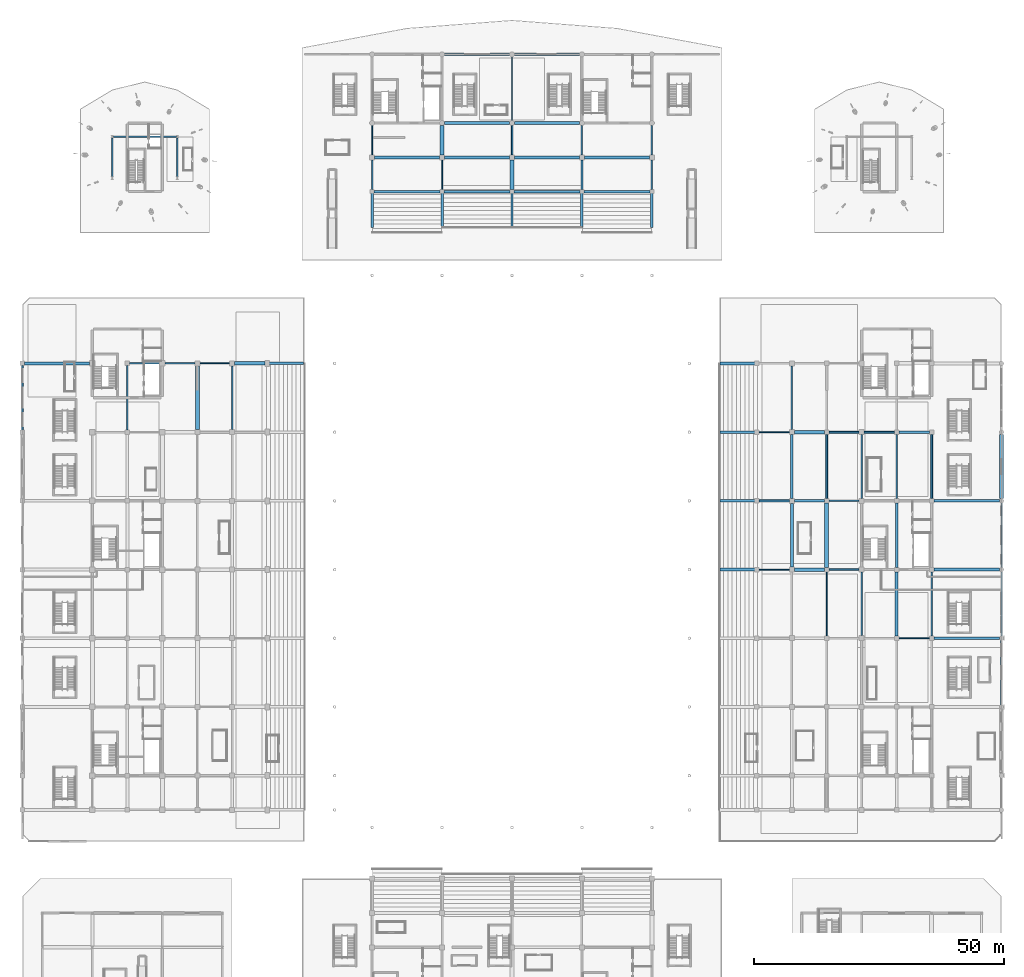
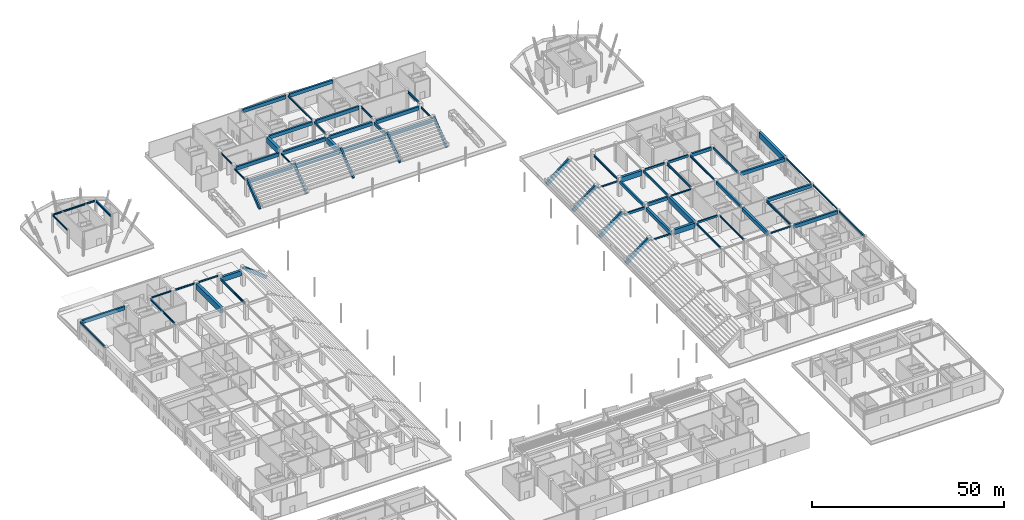
# One storey, part 25 of 73: 77 beams.
"""IFC4 building model written with IfcOpenShell, lengths in metres."""

from ifc_helpers import new_model, si_unit, direction, frame, origin, origin_2d, place, context, subcontext, project, spatial, rectangle, i_section, extrude, material, material_profile, profile_set, type_object, element, save


model = new_model("IFC4")

# Units and contexts
model_context = context("Model", 3, precision=1e-05, world=origin(), true_north=direction((0.0, 1.0)))
body_context = subcontext(model_context, "Body", "Model", "MODEL_VIEW")
ifc_project = project(units=[si_unit("LENGTHUNIT", "METRE"), si_unit("AREAUNIT", "SQUARE_METRE"), si_unit("VOLUMEUNIT", "CUBIC_METRE"), si_unit("PLANEANGLEUNIT", "RADIAN"), si_unit("MASSUNIT", "GRAM", prefix="KILO")], contexts=[model_context])

# Site, building, storey
site_placement = place(None, origin())
site = spatial("IfcSite", under=ifc_project, at=site_placement, CompositionType="ELEMENT")
building_placement = place(site_placement, origin())
building = spatial("IfcBuilding", under=site, at=building_placement, Name="Linyun Crest Stadium", CompositionType="ELEMENT")
storey_placement = place(building_placement, origin())
storey = spatial("IfcBuildingStorey", under=building, at=storey_placement, Name="L01", CompositionType="ELEMENT", Elevation=0.0)

# Beams
ifc_material_1 = material(Name="Concrete C40", Category="concrete")
ifc_material_profile_1 = material_profile(ifc_material_1, rectangle(XDim=0.35009765625, YDim=0.60009765625, at=origin_2d()), Name="RCB 600x350")
ifc_profile_set_1 = profile_set([ifc_material_profile_1], Name="Concrete C40")
beam_type_1 = type_object("IfcBeamType", Name="B01", PredefinedType="BEAM", material=ifc_profile_set_1)
for number, where, z_axis, x_axis, name in (
    (1, (63.449951171875, 2.125, 5.449951171875), (1.0, 0.0, 0.0), (0.0, 1.0, 0.0), "Frame beam B01 L01 496"),
    (2, (63.449951171875, 29.625, 5.449951171875), (1.0, 0.0, 0.0), (0.0, 1.0, 0.0), "Frame beam B01 L01 504"),
):
    element("IfcBeam", number, at=place(storey_placement, frame(where, z_axis=z_axis, x_axis=x_axis)), inside=storey, type_object=beam_type_1, Name=name, PredefinedType="BEAM", context=body_context, shape_type="SweptSolid", body=[
        extrude(rectangle(XDim=0.35009765625, YDim=0.60009765625, at=origin_2d()), origin(), (0.0, 0.0, 1.0), 6.050048828125),
    ])
ifc_material_2 = material(Name="Concrete C40", Category="concrete")
ifc_material_profile_2 = material_profile(ifc_material_2, rectangle(XDim=0.35009765625, YDim=0.64990234375, at=origin_2d()), Name="RCB 650x350")
ifc_profile_set_2 = profile_set([ifc_material_profile_2], Name="Concrete C40")
beam_type_2 = type_object("IfcBeamType", Name="B02", PredefinedType="BEAM", material=ifc_profile_set_2)
for number, where, z_axis, x_axis, name in (
    (3, (-98.0, 30.074951171875, 5.455078125), (0.0, 1.0, 0.0), (-1.0, 0.0, 0.0), "Frame beam B02 L01 139"),
    (4, (63.0, 16.324951171875, 5.425048828125), (0.0, 1.0, 0.0), (-1.0, 0.0, 0.0), "Frame beam B02 L01 524"),
    (5, (84.0, 16.324951171875, 5.425048828125), (0.0, 1.0, 0.0), (-1.0, 0.0, 0.0), "Frame beam B02 L01 540"),
    (6, (98.0, -24.925048828125, 5.425048828125), (0.0, 1.0, 0.0), (-1.0, 0.0, 0.0), "Frame beam B02 L01 543"),
):
    element("IfcBeam", number, at=place(storey_placement, frame(where, z_axis=z_axis, x_axis=x_axis)), inside=storey, type_object=beam_type_2, Name=name, PredefinedType="BEAM", context=body_context, shape_type="SweptSolid", body=[
        extrude(rectangle(XDim=0.35009765625, YDim=0.64990234375, at=origin_2d()), origin(), (0.0, 0.0, 1.0), 12.85009765625),
    ])
beam_1_placement = place(storey_placement, frame((0.0, 85.125, 5.455078125), z_axis=(0.0, 1.0, 0.0), x_axis=(-1.0, 0.0, 0.0)))
element("IfcBeam", 7, at=beam_1_placement, inside=storey, type_object=beam_type_2, Name="Frame beam B02 L01 784", PredefinedType="BEAM", context=body_context, shape_type="SweptSolid", body=[
    extrude(rectangle(XDim=0.35009765625, YDim=0.64990234375, at=origin_2d()), origin(), (0.0, 0.0, 1.0), 5.875),
])
ifc_material_3 = material(Name="Concrete C40", Category="concrete")
ifc_material_profile_3 = material_profile(ifc_material_3, rectangle(XDim=0.39990234375, YDim=0.75, at=origin_2d()), Name="RCB 750x400")
ifc_profile_set_3 = profile_set([ifc_material_profile_3], Name="Concrete C40")
beam_type_3 = type_object("IfcBeamType", Name="B03", PredefinedType="BEAM", material=ifc_profile_set_3)
for number, where, z_axis, x_axis, name in (
    (8, (49.449951171875, 15.875, 4.52490234375), (1.0, 0.0, 0.0), (0.0, 1.0, 0.0), "Frame beam B03 L01 498"),
    (9, (70.5, 29.625, 5.375), (1.0, 0.0, 0.0), (0.0, 1.0, 0.0), "Frame beam B03 L01 505"),
):
    element("IfcBeam", number, at=place(storey_placement, frame(where, z_axis=z_axis, x_axis=x_axis)), inside=storey, type_object=beam_type_3, Name=name, PredefinedType="BEAM", context=body_context, shape_type="SweptSolid", body=[
        extrude(rectangle(XDim=0.39990234375, YDim=0.75, at=origin_2d()), origin(), (0.0, 0.0, 1.0), 6.050048828125),
    ])
ifc_material_4 = material(Name="Concrete C40", Category="concrete")
ifc_material_profile_4 = material_profile(ifc_material_4, rectangle(XDim=0.449951171875, YDim=0.85009765625, at=origin_2d()), Name="RCB 850x450")
ifc_profile_set_4 = profile_set([ifc_material_profile_4], Name="Concrete C40")
beam_type_4 = type_object("IfcBeamType", Name="B04", PredefinedType="BEAM", material=ifc_profile_set_4)
beam_2_placement = place(storey_placement, frame((56.0, 16.375, 4.47509765625), z_axis=(0.0, 1.0, 0.0), x_axis=(-1.0, 0.0, 0.0)))
element("IfcBeam", 10, at=beam_2_placement, inside=storey, type_object=beam_type_4, Name="Frame beam B04 L01 517", PredefinedType="BEAM", context=body_context, shape_type="SweptSolid", body=[
    extrude(rectangle(XDim=0.449951171875, YDim=0.85009765625, at=origin_2d()), origin(), (0.0, 0.0, 1.0), 12.75),
])
beam_3_placement = place(storey_placement, frame((77.0, 2.574951171875, 5.324951171875), z_axis=(0.0, 1.0, 0.0), x_axis=(-1.0, 0.0, 0.0)))
element("IfcBeam", 11, at=beam_3_placement, inside=storey, type_object=beam_type_4, Name="Frame beam B04 L01 534", PredefinedType="BEAM", context=body_context, shape_type="SweptSolid", body=[
    extrude(rectangle(XDim=0.449951171875, YDim=0.85009765625, at=origin_2d()), origin(), (0.0, 0.0, 1.0), 12.85009765625),
])
beam_4_placement = place(storey_placement, frame((14.0, 78.14990234375, 4.5048828125), z_axis=(0.0, 1.0, 0.0), x_axis=(-1.0, 0.0, 0.0)))
element("IfcBeam", 12, at=beam_4_placement, inside=storey, type_object=beam_type_4, Name="Frame beam B04 L01 786", PredefinedType="BEAM", context=body_context, shape_type="SweptSolid", body=[
    extrude(rectangle(XDim=0.449951171875, YDim=0.85009765625, at=origin_2d()), origin(), (0.0, 0.0, 1.0), 5.97509765625),
])
ifc_material_5 = material(Name="Concrete C40", Category="concrete")
ifc_material_profile_5 = material_profile(ifc_material_5, rectangle(XDim=0.5, YDim=1.0, at=origin_2d()), Name="RCB 1000x500")
ifc_profile_set_5 = profile_set([ifc_material_profile_5], Name="Concrete C40")
beam_type_5 = type_object("IfcBeamType", Name="B05", PredefinedType="BEAM", material=ifc_profile_set_5)
beam_5_placement = place(storey_placement, frame((56.5, 15.875, 5.25), z_axis=(1.0, 0.0, 0.0), x_axis=(0.0, 1.0, 0.0)))
element("IfcBeam", 13, at=beam_5_placement, inside=storey, type_object=beam_type_5, Name="Frame beam B05 L01 499", PredefinedType="BEAM", context=body_context, shape_type="SweptSolid", body=[
    extrude(rectangle(XDim=0.5, YDim=1.0, at=origin_2d()), origin(), (0.0, 0.0, 1.0), 6.050048828125),
])
beam_6_placement = place(storey_placement, frame((77.449951171875, 29.625, 5.25), z_axis=(1.0, 0.0, 0.0), x_axis=(0.0, 1.0, 0.0)))
element("IfcBeam", 14, at=beam_6_placement, inside=storey, type_object=beam_type_5, Name="Frame beam B05 L01 506", PredefinedType="BEAM", context=body_context, shape_type="SweptSolid", body=[
    extrude(rectangle(XDim=0.5, YDim=1.0, at=origin_2d()), origin(), (0.0, 0.0, 1.0), 6.10009765625),
])
ifc_material_6 = material(Name="Steel Q355C", Category="steel")
ifc_material_profile_6 = material_profile(ifc_material_6, i_section(OverallWidth=0.300048828125, OverallDepth=0.389892578125, WebThickness=0.010009765625, FlangeThickness=0.01611328125, at=origin_2d()), Name="HM 390x300")
ifc_profile_set_6 = profile_set([ifc_material_profile_6], Name="Steel Q355C")
beam_type_6 = type_object("IfcBeamType", Name="B06", PredefinedType="BEAM", material=ifc_profile_set_6)
beam_7_placement = place(storey_placement, frame((-76.550048828125, 43.375, 5.5849609375), z_axis=(1.0, 0.0, 0.0), x_axis=(0.0, 1.0, 0.0)))
element("IfcBeam", 15, at=beam_7_placement, inside=storey, type_object=beam_type_6, Name="Frame beam B06 L01 129", PredefinedType="BEAM", context=body_context, shape_type="SweptSolid", body=[
    extrude(i_section(OverallWidth=0.300048828125, OverallDepth=0.389892578125, WebThickness=0.010009765625, FlangeThickness=0.01611328125, at=origin_2d()), origin(), (0.0, 0.0, 1.0), 6.0),
])
beam_8_placement = place(storey_placement, frame((63.449951171875, 15.875, 5.554931640625), z_axis=(1.0, 0.0, 0.0), x_axis=(0.0, 1.0, 0.0)))
element("IfcBeam", 16, at=beam_8_placement, inside=storey, type_object=beam_type_6, Name="Frame beam B06 L01 500", PredefinedType="BEAM", context=body_context, shape_type="SweptSolid", body=[
    extrude(i_section(OverallWidth=0.300048828125, OverallDepth=0.389892578125, WebThickness=0.010009765625, FlangeThickness=0.01611328125, at=origin_2d()), origin(), (0.0, 0.0, 1.0), 6.050048828125),
])
ifc_material_7 = material(Name="Steel Q355C", Category="steel")
ifc_material_profile_7 = material_profile(ifc_material_7, i_section(OverallWidth=0.300048828125, OverallDepth=0.43994140625, WebThickness=0.010986328125, FlangeThickness=0.01806640625, at=origin_2d()), Name="HM 440x300")
ifc_profile_set_7 = profile_set([ifc_material_profile_7], Name="Steel Q355C")
beam_type_7 = type_object("IfcBeamType", Name="B07", PredefinedType="BEAM", material=ifc_profile_set_7)
beam_9_placement = place(storey_placement, frame((70.0, -11.125, 5.530029296875), z_axis=(0.0, 1.0, 0.0), x_axis=(-1.0, 0.0, 0.0)))
element("IfcBeam", 17, at=beam_9_placement, inside=storey, type_object=beam_type_7, Name="Frame beam B07 L01 528", PredefinedType="BEAM", context=body_context, shape_type="SweptSolid", body=[
    extrude(i_section(OverallWidth=0.300048828125, OverallDepth=0.43994140625, WebThickness=0.010986328125, FlangeThickness=0.01806640625, at=origin_2d()), origin(), (0.0, 0.0, 1.0), 12.75),
])
beam_10_placement = place(storey_placement, frame((98.0, -11.175048828125, 5.530029296875), z_axis=(0.0, 1.0, 0.0), x_axis=(-1.0, 0.0, 0.0)))
element("IfcBeam", 18, at=beam_10_placement, inside=storey, type_object=beam_type_7, Name="Frame beam B07 L01 544", PredefinedType="BEAM", context=body_context, shape_type="SweptSolid", body=[
    extrude(i_section(OverallWidth=0.300048828125, OverallDepth=0.43994140625, WebThickness=0.010986328125, FlangeThickness=0.01806640625, at=origin_2d()), origin(), (0.0, 0.0, 1.0), 12.85009765625),
])
beam_11_placement = place(storey_placement, frame((-28.0, 78.14990234375, 4.7099609375), z_axis=(0.0, 1.0, 0.0), x_axis=(-1.0, 0.0, 0.0)))
element("IfcBeam", 19, at=beam_11_placement, inside=storey, type_object=beam_type_7, Name="Frame beam B07 L01 779", PredefinedType="BEAM", context=body_context, shape_type="SweptSolid", body=[
    extrude(i_section(OverallWidth=0.300048828125, OverallDepth=0.43994140625, WebThickness=0.010986328125, FlangeThickness=0.01806640625, at=origin_2d()), origin(), (0.0, 0.0, 1.0), 5.97509765625),
])
beam_12_placement = place(storey_placement, frame((0.0, 92.0, 5.56005859375), z_axis=(0.0, 1.0, 0.0), x_axis=(-1.0, 0.0, 0.0)))
element("IfcBeam", 20, at=beam_12_placement, inside=storey, type_object=beam_type_7, Name="Frame beam B07 L01 785", PredefinedType="BEAM", context=body_context, shape_type="SweptSolid", body=[
    extrude(i_section(OverallWidth=0.300048828125, OverallDepth=0.43994140625, WebThickness=0.010986328125, FlangeThickness=0.01806640625, at=origin_2d()), origin(), (0.0, 0.0, 1.0), 12.75),
])
beam_13_placement = place(storey_placement, frame((-80.0, 80.7490234375, 5.56005859375), z_axis=(0.0, 1.0, 0.0), x_axis=(-1.0, 0.0, 0.0)))
element("IfcBeam", 21, at=beam_13_placement, inside=storey, type_object=beam_type_7, Name="Frame beam B07 L01 955", PredefinedType="BEAM", context=body_context, shape_type="SweptSolid", body=[
    extrude(i_section(OverallWidth=0.300048828125, OverallDepth=0.43994140625, WebThickness=0.010986328125, FlangeThickness=0.01806640625, at=origin_2d()), origin(), (0.0, 0.0, 1.0), 7.786865234375),
])
ifc_material_8 = material(Name="Steel Q355C", Category="steel")
ifc_material_profile_8 = material_profile(ifc_material_8, i_section(OverallWidth=0.300048828125, OverallDepth=0.488037109375, WebThickness=0.010986328125, FlangeThickness=0.01806640625, at=origin_2d()), Name="HM 488x300")
ifc_profile_set_8 = profile_set([ifc_material_profile_8], Name="Steel Q355C")
beam_type_8 = type_object("IfcBeamType", Name="B08", PredefinedType="BEAM", material=ifc_profile_set_8)
beam_14_placement = place(storey_placement, frame((-69.449951171875, 43.375, 5.535888671875), z_axis=(1.0, 0.0, 0.0), x_axis=(0.0, 1.0, 0.0)))
element("IfcBeam", 22, at=beam_14_placement, inside=storey, type_object=beam_type_8, Name="Frame beam B08 L01 130", PredefinedType="BEAM", context=body_context, shape_type="SweptSolid", body=[
    extrude(i_section(OverallWidth=0.300048828125, OverallDepth=0.488037109375, WebThickness=0.010986328125, FlangeThickness=0.01806640625, at=origin_2d()), origin(), (0.0, 0.0, 1.0), 5.949951171875),
])
beam_15_placement = place(storey_placement, frame((-79.7958984375, 88.75, 5.535888671875), z_axis=(1.0, 0.0, 0.0), x_axis=(0.0, 1.0, 0.0)))
element("IfcBeam", 23, at=beam_15_placement, inside=storey, type_object=beam_type_8, Name="Frame beam B08 L01 953", PredefinedType="BEAM", context=body_context, shape_type="SweptSolid", body=[
    extrude(i_section(OverallWidth=0.300048828125, OverallDepth=0.488037109375, WebThickness=0.010986328125, FlangeThickness=0.01806640625, at=origin_2d()), origin(), (0.0, 0.0, 1.0), 12.591796875),
])
ifc_material_9 = material(Name="Steel Q355C", Category="steel")
ifc_material_profile_9 = material_profile(ifc_material_9, i_section(OverallWidth=0.300048828125, OverallDepth=0.587890625, WebThickness=0.011962890625, FlangeThickness=0.02001953125, at=origin_2d()), Name="HM 588x300")
ifc_profile_set_9 = profile_set([ifc_material_profile_9], Name="Steel Q355C")
beam_type_9 = type_object("IfcBeamType", Name="B09", PredefinedType="BEAM", material=ifc_profile_set_9)
beam_16_placement = place(storey_placement, frame((-77.0, 30.074951171875, 5.486083984375), z_axis=(0.0, 1.0, 0.0), x_axis=(-1.0, 0.0, 0.0)))
element("IfcBeam", 24, at=beam_16_placement, inside=storey, type_object=beam_type_9, Name="Frame beam B09 L01 150", PredefinedType="BEAM", context=body_context, shape_type="SweptSolid", body=[
    extrude(i_section(OverallWidth=0.300048828125, OverallDepth=0.587890625, WebThickness=0.011962890625, FlangeThickness=0.02001953125, at=origin_2d()), origin(), (0.0, 0.0, 1.0), 12.85009765625),
])
beam_17_placement = place(storey_placement, frame((56.0, 30.125, 4.60595703125), z_axis=(0.0, 1.0, 0.0), x_axis=(-1.0, 0.0, 0.0)))
element("IfcBeam", 25, at=beam_17_placement, inside=storey, type_object=beam_type_9, Name="Frame beam B09 L01 518", PredefinedType="BEAM", context=body_context, shape_type="SweptSolid", body=[
    extrude(i_section(OverallWidth=0.300048828125, OverallDepth=0.587890625, WebThickness=0.011962890625, FlangeThickness=0.02001953125, at=origin_2d()), origin(), (0.0, 0.0, 1.0), 12.75),
])
beam_18_placement = place(storey_placement, frame((77.0, 16.324951171875, 5.4560546875), z_axis=(0.0, 1.0, 0.0), x_axis=(-1.0, 0.0, 0.0)))
element("IfcBeam", 26, at=beam_18_placement, inside=storey, type_object=beam_type_9, Name="Frame beam B09 L01 535", PredefinedType="BEAM", context=body_context, shape_type="SweptSolid", body=[
    extrude(i_section(OverallWidth=0.300048828125, OverallDepth=0.587890625, WebThickness=0.011962890625, FlangeThickness=0.02001953125, at=origin_2d()), origin(), (0.0, 0.0, 1.0), 12.85009765625),
])
beam_19_placement = place(storey_placement, frame((14.0, 85.125, 5.486083984375), z_axis=(0.0, 1.0, 0.0), x_axis=(-1.0, 0.0, 0.0)))
element("IfcBeam", 27, at=beam_19_placement, inside=storey, type_object=beam_type_9, Name="Frame beam B09 L01 787", PredefinedType="BEAM", context=body_context, shape_type="SweptSolid", body=[
    extrude(i_section(OverallWidth=0.300048828125, OverallDepth=0.587890625, WebThickness=0.011962890625, FlangeThickness=0.02001953125, at=origin_2d()), origin(), (0.0, 0.0, 1.0), 5.875),
])
beam_20_placement = place(storey_placement, frame((28.0, 78.14990234375, 4.635986328125), z_axis=(0.0, 1.0, 0.0), x_axis=(-1.0, 0.0, 0.0)))
element("IfcBeam", 28, at=beam_20_placement, inside=storey, type_object=beam_type_9, Name="Frame beam B09 L01 788", PredefinedType="BEAM", context=body_context, shape_type="SweptSolid", body=[
    extrude(i_section(OverallWidth=0.300048828125, OverallDepth=0.587890625, WebThickness=0.011962890625, FlangeThickness=0.02001953125, at=origin_2d()), origin(), (0.0, 0.0, 1.0), 5.97509765625),
])
beam_21_placement = place(storey_placement, frame((-67.0, 80.7490234375, 5.486083984375), z_axis=(0.0, 1.0, 0.0), x_axis=(-1.0, 0.0, 0.0)))
element("IfcBeam", 29, at=beam_21_placement, inside=storey, type_object=beam_type_9, Name="Frame beam B09 L01 956", PredefinedType="BEAM", context=body_context, shape_type="SweptSolid", body=[
    extrude(i_section(OverallWidth=0.300048828125, OverallDepth=0.587890625, WebThickness=0.011962890625, FlangeThickness=0.02001953125, at=origin_2d()), origin(), (0.0, 0.0, 1.0), 7.786865234375),
])
ifc_material_10 = material(Name="Steel Q355C", Category="steel")
ifc_material_profile_10 = material_profile(ifc_material_10, i_section(OverallWidth=0.199951171875, OverallDepth=0.5, WebThickness=0.010009765625, FlangeThickness=0.01611328125, at=origin_2d()), Name="HN 500x200")
ifc_profile_set_10 = profile_set([ifc_material_profile_10], Name="Steel Q355C")
beam_type_10 = type_object("IfcBeamType", Name="B10", PredefinedType="BEAM", material=ifc_profile_set_10)
beam_22_placement = place(storey_placement, frame((-62.5, 43.375, 5.530029296875), z_axis=(1.0, 0.0, 0.0), x_axis=(0.0, 1.0, 0.0)))
element("IfcBeam", 30, at=beam_22_placement, inside=storey, type_object=beam_type_10, Name="Frame beam B10 L01 131", PredefinedType="BEAM", context=body_context, shape_type="SweptSolid", body=[
    extrude(i_section(OverallWidth=0.199951171875, OverallDepth=0.5, WebThickness=0.010009765625, FlangeThickness=0.01611328125, at=origin_2d()), origin(), (0.0, 0.0, 1.0), 6.0),
])
beam_23_placement = place(storey_placement, frame((77.449951171875, -11.625, 5.5), z_axis=(1.0, 0.0, 0.0), x_axis=(0.0, 1.0, 0.0)))
element("IfcBeam", 31, at=beam_23_placement, inside=storey, type_object=beam_type_10, Name="Frame beam B10 L01 492", PredefinedType="BEAM", context=body_context, shape_type="SweptSolid", body=[
    extrude(i_section(OverallWidth=0.199951171875, OverallDepth=0.5, WebThickness=0.010009765625, FlangeThickness=0.01611328125, at=origin_2d()), origin(), (0.0, 0.0, 1.0), 6.10009765625),
])
for number, where, z_axis, x_axis, name in (
    (32, (49.449951171875, 2.125, 4.64990234375), (1.0, 0.0, 0.0), (0.0, 1.0, 0.0), "Frame beam B10 L01 494"),
    (33, (49.449951171875, 29.625, 4.64990234375), (1.0, 0.0, 0.0), (0.0, 1.0, 0.0), "Frame beam B10 L01 502"),
):
    element("IfcBeam", number, at=place(storey_placement, frame(where, z_axis=z_axis, x_axis=x_axis)), inside=storey, type_object=beam_type_10, Name=name, PredefinedType="BEAM", context=body_context, shape_type="SweptSolid", body=[
        extrude(i_section(OverallWidth=0.199951171875, OverallDepth=0.5, WebThickness=0.010009765625, FlangeThickness=0.01611328125, at=origin_2d()), origin(), (0.0, 0.0, 1.0), 6.050048828125),
    ])
ifc_material_11 = material(Name="Steel Q355C", Category="steel")
ifc_material_profile_11 = material_profile(ifc_material_11, i_section(OverallWidth=0.199951171875, OverallDepth=0.60009765625, WebThickness=0.010986328125, FlangeThickness=0.01708984375, at=origin_2d()), Name="HN 600x200")
ifc_profile_set_11 = profile_set([ifc_material_profile_11], Name="Steel Q355C")
beam_type_11 = type_object("IfcBeamType", Name="B11", PredefinedType="BEAM", material=ifc_profile_set_11)
for number, where, z_axis, x_axis, name in (
    (34, (63.0, -11.175048828125, 5.449951171875), (0.0, 1.0, 0.0), (-1.0, 0.0, 0.0), "Frame beam B11 L01 522"),
    (35, (98.0, 2.574951171875, 5.449951171875), (0.0, 1.0, 0.0), (-1.0, 0.0, 0.0), "Frame beam B11 L01 545"),
):
    element("IfcBeam", number, at=place(storey_placement, frame(where, z_axis=z_axis, x_axis=x_axis)), inside=storey, type_object=beam_type_11, Name=name, PredefinedType="BEAM", context=body_context, shape_type="SweptSolid", body=[
        extrude(i_section(OverallWidth=0.199951171875, OverallDepth=0.60009765625, WebThickness=0.010986328125, FlangeThickness=0.01708984375, at=origin_2d()), origin(), (0.0, 0.0, 1.0), 12.85009765625),
    ])
beam_24_placement = place(storey_placement, frame((-28.0, 85.125, 5.47998046875), z_axis=(0.0, 1.0, 0.0), x_axis=(-1.0, 0.0, 0.0)))
element("IfcBeam", 36, at=beam_24_placement, inside=storey, type_object=beam_type_11, Name="Frame beam B11 L01 780", PredefinedType="BEAM", context=body_context, shape_type="SweptSolid", body=[
    extrude(i_section(OverallWidth=0.199951171875, OverallDepth=0.60009765625, WebThickness=0.010986328125, FlangeThickness=0.01708984375, at=origin_2d()), origin(), (0.0, 0.0, 1.0), 5.875),
])
beam_25_placement = place(storey_placement, frame((-14.0, 78.14990234375, 4.6298828125), z_axis=(0.0, 1.0, 0.0), x_axis=(-1.0, 0.0, 0.0)))
element("IfcBeam", 37, at=beam_25_placement, inside=storey, type_object=beam_type_11, Name="Frame beam B11 L01 781", PredefinedType="BEAM", context=body_context, shape_type="SweptSolid", body=[
    extrude(i_section(OverallWidth=0.199951171875, OverallDepth=0.60009765625, WebThickness=0.010986328125, FlangeThickness=0.01708984375, at=origin_2d()), origin(), (0.0, 0.0, 1.0), 5.97509765625),
])
ifc_material_12 = material(Name="Steel Q355C", Category="steel")
ifc_material_profile_12 = material_profile(ifc_material_12, i_section(OverallWidth=0.300048828125, OverallDepth=0.699951171875, WebThickness=0.012939453125, FlangeThickness=0.02392578125, at=origin_2d()), Name="HN 700x300")
ifc_profile_set_12 = profile_set([ifc_material_profile_12], Name="Steel Q355C")
beam_type_12 = type_object("IfcBeamType", Name="B12", PredefinedType="BEAM", material=ifc_profile_set_12)
for number, where, z_axis, x_axis, name in (
    (38, (-56.0, 30.125, 4.580078125), (0.0, 1.0, 0.0), (-1.0, 0.0, 0.0), "Frame beam B12 L01 168"),
    (39, (70.0, 16.375, 5.39990234375), (0.0, 1.0, 0.0), (-1.0, 0.0, 0.0), "Frame beam B12 L01 529"),
):
    element("IfcBeam", number, at=place(storey_placement, frame(where, z_axis=z_axis, x_axis=x_axis)), inside=storey, type_object=beam_type_12, Name=name, PredefinedType="BEAM", context=body_context, shape_type="SweptSolid", body=[
        extrude(i_section(OverallWidth=0.300048828125, OverallDepth=0.699951171875, WebThickness=0.012939453125, FlangeThickness=0.02392578125, at=origin_2d()), origin(), (0.0, 0.0, 1.0), 12.75),
    ])
beam_26_placement = place(storey_placement, frame((84.0, -11.175048828125, 5.39990234375), z_axis=(0.0, 1.0, 0.0), x_axis=(-1.0, 0.0, 0.0)))
element("IfcBeam", 40, at=beam_26_placement, inside=storey, type_object=beam_type_12, Name="Frame beam B12 L01 539", PredefinedType="BEAM", context=body_context, shape_type="SweptSolid", body=[
    extrude(i_section(OverallWidth=0.300048828125, OverallDepth=0.699951171875, WebThickness=0.012939453125, FlangeThickness=0.02392578125, at=origin_2d()), origin(), (0.0, 0.0, 1.0), 12.85009765625),
])
beam_27_placement = place(storey_placement, frame((28.0, 85.125, 5.429931640625), z_axis=(0.0, 1.0, 0.0), x_axis=(-1.0, 0.0, 0.0)))
element("IfcBeam", 41, at=beam_27_placement, inside=storey, type_object=beam_type_12, Name="Frame beam B12 L01 789", PredefinedType="BEAM", context=body_context, shape_type="SweptSolid", body=[
    extrude(i_section(OverallWidth=0.300048828125, OverallDepth=0.699951171875, WebThickness=0.012939453125, FlangeThickness=0.02392578125, at=origin_2d()), origin(), (0.0, 0.0, 1.0), 5.875),
])
ifc_material_13 = material(Name="Concrete C50", Category="concrete")
ifc_material_profile_13 = material_profile(ifc_material_13, rectangle(XDim=0.699951171875, YDim=1.60009765625, at=origin_2d()), Name="RCB 1600x700")
ifc_profile_set_13 = profile_set([ifc_material_profile_13], Name="Concrete C50")
beam_type_13 = type_object("IfcBeamType", Name="B13", PredefinedType="BEAM", material=ifc_profile_set_13)
for number, where, z_axis, x_axis, name in (
    (42, (-55.5, 43.375, 4.1298828125), (1.0, 0.0, 0.0), (0.0, 1.0, 0.0), "Frame beam B13 L01 132"),
    (43, (56.5, 2.125, 4.949951171875), (1.0, 0.0, 0.0), (0.0, 1.0, 0.0), "Frame beam B13 L01 495"),
    (44, (56.5, 29.625, 4.949951171875), (1.0, 0.0, 0.0), (0.0, 1.0, 0.0), "Frame beam B13 L01 503"),
):
    element("IfcBeam", number, at=place(storey_placement, frame(where, z_axis=z_axis, x_axis=x_axis)), inside=storey, type_object=beam_type_13, Name=name, PredefinedType="BEAM", context=body_context, shape_type="SweptSolid", body=[
        extrude(rectangle(XDim=0.699951171875, YDim=1.60009765625, at=origin_2d()), origin(), (0.0, 0.0, 1.0), 6.050048828125),
    ])
ifc_material_14 = material(Name="Concrete C50", Category="concrete")
ifc_material_profile_14 = material_profile(ifc_material_14, rectangle(XDim=0.800048828125, YDim=1.800048828125, at=origin_2d()), Name="RCB 1800x800")
ifc_profile_set_14 = profile_set([ifc_material_profile_14], Name="Concrete C50")
beam_type_14 = type_object("IfcBeamType", Name="B14", PredefinedType="BEAM", material=ifc_profile_set_14)
beam_28_placement = place(storey_placement, frame((-63.0, 30.125, 4.8798828125), z_axis=(0.0, 1.0, 0.0), x_axis=(-1.0, 0.0, 0.0)))
element("IfcBeam", 45, at=beam_28_placement, inside=storey, type_object=beam_type_14, Name="Frame beam B14 L01 161", PredefinedType="BEAM", context=body_context, shape_type="SweptSolid", body=[
    extrude(rectangle(XDim=0.800048828125, YDim=1.800048828125, at=origin_2d()), origin(), (0.0, 0.0, 1.0), 12.75),
])
for number, where, z_axis, x_axis, name in (
    (46, (63.0, 2.574951171875, 4.85009765625), (0.0, 1.0, 0.0), (-1.0, 0.0, 0.0), "Frame beam B14 L01 523"),
    (47, (98.0, 16.324951171875, 4.85009765625), (0.0, 1.0, 0.0), (-1.0, 0.0, 0.0), "Frame beam B14 L01 546"),
):
    element("IfcBeam", number, at=place(storey_placement, frame(where, z_axis=z_axis, x_axis=x_axis)), inside=storey, type_object=beam_type_14, Name=name, PredefinedType="BEAM", context=body_context, shape_type="SweptSolid", body=[
        extrude(rectangle(XDim=0.800048828125, YDim=1.800048828125, at=origin_2d()), origin(), (0.0, 0.0, 1.0), 12.85009765625),
    ])
beam_29_placement = place(storey_placement, frame((-14.0, 85.125, 4.8798828125), z_axis=(0.0, 1.0, 0.0), x_axis=(-1.0, 0.0, 0.0)))
element("IfcBeam", 48, at=beam_29_placement, inside=storey, type_object=beam_type_14, Name="Frame beam B14 L01 782", PredefinedType="BEAM", context=body_context, shape_type="SweptSolid", body=[
    extrude(rectangle(XDim=0.800048828125, YDim=1.800048828125, at=origin_2d()), origin(), (0.0, 0.0, 1.0), 5.875),
])
beam_30_placement = place(storey_placement, frame((0.0, 78.14990234375, 4.030029296875), z_axis=(0.0, 1.0, 0.0), x_axis=(-1.0, 0.0, 0.0)))
element("IfcBeam", 49, at=beam_30_placement, inside=storey, type_object=beam_type_14, Name="Frame beam B14 L01 783", PredefinedType="BEAM", context=body_context, shape_type="SweptSolid", body=[
    extrude(rectangle(XDim=0.800048828125, YDim=1.800048828125, at=origin_2d()), origin(), (0.0, 0.0, 1.0), 5.97509765625),
])
ifc_material_15 = material(Name="Precast concrete C50", Category="concrete")
ifc_material_profile_15 = material_profile(ifc_material_15, rectangle(XDim=0.5, YDim=0.949951171875, at=origin_2d()), Name="PCR 950x500")
ifc_profile_set_15 = profile_set([ifc_material_profile_15], Name="Precast concrete C50")
beam_type_15 = type_object("IfcBeamType", Name="RB01", PredefinedType="USERDEFINED", material=ifc_profile_set_15)
beam_31_placement = place(storey_placement, frame((-42.0, 43.375, 0.0), z_axis=(-0.785226144733, 0.0, 0.619209093625), x_axis=(0.0, -1.0, 0.0)))
element("IfcBeam", 50, at=beam_31_placement, inside=storey, type_object=beam_type_15, Name="Precast raker beam RB01 V1 57", ObjectType="RAKER", PredefinedType="USERDEFINED", context=body_context, shape_type="SweptSolid", body=[
    extrude(rectangle(XDim=0.5, YDim=0.949951171875, at=origin_2d()), origin(), (0.0, 0.0, 1.0), 8.91455078125),
])
for number, where, z_axis, x_axis, name in (
    (51, (-28.0, 70.875, 0.0), (0.0, 0.779759968444, 0.626078582618), (-1.0, 0.0, 0.0), "Precast raker beam RB01 V3 65"),
    (52, (-14.0, 70.875, 0.0), (0.0, 0.779759968444, 0.626078582618), (-1.0, 0.0, 0.0), "Precast raker beam RB01 V3 71"),
    (53, (0.0, 70.875, 0.0), (0.0, 0.779759968444, 0.626078582618), (-1.0, 0.0, 0.0), "Precast raker beam RB01 V3 77"),
    (54, (14.0, 70.875, 0.0), (0.0, 0.779759968444, 0.626078582618), (-1.0, 0.0, 0.0), "Precast raker beam RB01 V3 83"),
    (55, (28.0, 70.875, 0.0), (0.0, 0.779759968444, 0.626078582618), (-1.0, 0.0, 0.0), "Precast raker beam RB01 V3 89"),
):
    element("IfcBeam", number, at=place(storey_placement, frame(where, z_axis=z_axis, x_axis=x_axis)), inside=storey, type_object=beam_type_15, Name=name, ObjectType="RAKER", PredefinedType="USERDEFINED", context=body_context, shape_type="SweptSolid", body=[
        extrude(rectangle(XDim=0.5, YDim=0.949951171875, at=origin_2d()), origin(), (0.0, 0.0, 1.0), 8.81689453125),
    ])
ifc_material_16 = material(Name="Precast concrete C50", Category="concrete")
ifc_material_profile_16 = material_profile(ifc_material_16, rectangle(XDim=0.550048828125, YDim=1.14990234375, at=origin_2d()), Name="PCR 1150x550")
ifc_profile_set_16 = profile_set([ifc_material_profile_16], Name="Precast concrete C50")
beam_type_16 = type_object("IfcBeamType", Name="RB02", PredefinedType="USERDEFINED", material=ifc_profile_set_16)
for number, where, z_axis, x_axis, name in (
    (56, (42.0, 2.125, 0.0), (0.785226144733, 0.0, 0.619209093625), (0.0, 1.0, 0.0), "Precast raker beam RB02 V2 37"),
    (57, (42.0, 15.875, 0.0), (0.785226144733, 0.0, 0.619209093625), (0.0, 1.0, 0.0), "Precast raker beam RB02 V2 45"),
    (58, (42.0, 29.625, 0.0), (0.785226144733, 0.0, 0.619209093625), (0.0, 1.0, 0.0), "Precast raker beam RB02 V2 53"),
    (59, (42.0, 43.375, 0.0), (0.785226144733, 0.0, 0.619209093625), (0.0, 1.0, 0.0), "Precast raker beam RB02 V2 61"),
):
    element("IfcBeam", number, at=place(storey_placement, frame(where, z_axis=z_axis, x_axis=x_axis)), inside=storey, type_object=beam_type_16, Name=name, ObjectType="RAKER", PredefinedType="USERDEFINED", context=body_context, shape_type="SweptSolid", body=[
        extrude(rectangle(XDim=0.550048828125, YDim=1.14990234375, at=origin_2d()), origin(), (0.0, 0.0, 1.0), 8.91455078125),
    ])
ifc_material_17 = material(Name="Concrete C50", Category="concrete")
ifc_material_profile_17 = material_profile(ifc_material_17, rectangle(XDim=0.550048828125, YDim=1.10009765625, at=origin_2d()), Name="RCB 1100x550")
ifc_profile_set_17 = profile_set([ifc_material_profile_17], Name="Concrete C50")
beam_type_17 = type_object("IfcBeamType", Name="TB01", PredefinedType="USERDEFINED", material=ifc_profile_set_17)
beam_32_placement = place(storey_placement, frame((-97.550048828125, 43.375, 5.22998046875), z_axis=(1.0, 0.0, 0.0), x_axis=(0.0, 1.0, 0.0)))
element("IfcBeam", 60, at=beam_32_placement, inside=storey, type_object=beam_type_17, Name="Frame beam TB01 L01 128", ObjectType="GIRDER", PredefinedType="USERDEFINED", context=body_context, shape_type="SweptSolid", body=[
    extrude(rectangle(XDim=0.550048828125, YDim=1.10009765625, at=origin_2d()), origin(), (0.0, 0.0, 1.0), 13.0),
])
for number, where, z_axis, x_axis, name in (
    (61, (84.449951171875, -11.625, 5.199951171875), (1.0, 0.0, 0.0), (0.0, 1.0, 0.0), "Frame beam TB01 L01 493"),
    (62, (84.449951171875, 2.125, 5.199951171875), (1.0, 0.0, 0.0), (0.0, 1.0, 0.0), "Frame beam TB01 L01 497"),
    (63, (84.449951171875, 15.875, 5.199951171875), (1.0, 0.0, 0.0), (0.0, 1.0, 0.0), "Frame beam TB01 L01 501"),
):
    element("IfcBeam", number, at=place(storey_placement, frame(where, z_axis=z_axis, x_axis=x_axis)), inside=storey, type_object=beam_type_17, Name=name, ObjectType="GIRDER", PredefinedType="USERDEFINED", context=body_context, shape_type="SweptSolid", body=[
        extrude(rectangle(XDim=0.550048828125, YDim=1.10009765625, at=origin_2d()), origin(), (0.0, 0.0, 1.0), 13.10009765625),
    ])
for number, where, z_axis, x_axis, name in (
    (64, (-27.60009765625, 77.75, 4.3798828125), (1.0, 0.0, 0.0), (0.0, 1.0, 0.0), "Frame beam TB01 L01 767"),
    (65, (-13.60009765625, 77.75, 4.3798828125), (1.0, 0.0, 0.0), (0.0, 1.0, 0.0), "Frame beam TB01 L01 768"),
    (66, (0.39990234375, 77.75, 4.3798828125), (1.0, 0.0, 0.0), (0.0, 1.0, 0.0), "Frame beam TB01 L01 769"),
    (67, (14.39990234375, 77.75, 4.3798828125), (1.0, 0.0, 0.0), (0.0, 1.0, 0.0), "Frame beam TB01 L01 770"),
):
    element("IfcBeam", number, at=place(storey_placement, frame(where, z_axis=z_axis, x_axis=x_axis)), inside=storey, type_object=beam_type_17, Name=name, ObjectType="GIRDER", PredefinedType="USERDEFINED", context=body_context, shape_type="SweptSolid", body=[
        extrude(rectangle(XDim=0.550048828125, YDim=1.10009765625, at=origin_2d()), origin(), (0.0, 0.0, 1.0), 13.2001953125),
    ])
for number, where, z_axis, x_axis, name in (
    (68, (-27.5, 84.625, 4.3798828125), (1.0, 0.0, 0.0), (0.0, 1.0, 0.0), "Frame beam TB01 L01 771"),
    (69, (-13.5, 84.625, 4.3798828125), (1.0, 0.0, 0.0), (0.0, 1.0, 0.0), "Frame beam TB01 L01 772"),
    (70, (0.5, 84.625, 4.3798828125), (1.0, 0.0, 0.0), (0.0, 1.0, 0.0), "Frame beam TB01 L01 773"),
    (71, (14.5, 84.625, 4.3798828125), (1.0, 0.0, 0.0), (0.0, 1.0, 0.0), "Frame beam TB01 L01 774"),
    (72, (-13.5, 91.5, 5.22998046875), (1.0, 0.0, 0.0), (0.0, 1.0, 0.0), "Frame beam TB01 L01 775"),
    (73, (0.5, 91.5, 5.22998046875), (1.0, 0.0, 0.0), (0.0, 1.0, 0.0), "Frame beam TB01 L01 776"),
    (74, (-13.5, 105.25, 5.22998046875), (1.0, 0.0, 0.0), (0.0, 1.0, 0.0), "Frame beam TB01 L01 777"),
    (75, (0.5, 105.25, 5.22998046875), (1.0, 0.0, 0.0), (0.0, 1.0, 0.0), "Frame beam TB01 L01 778"),
):
    element("IfcBeam", number, at=place(storey_placement, frame(where, z_axis=z_axis, x_axis=x_axis)), inside=storey, type_object=beam_type_17, Name=name, ObjectType="GIRDER", PredefinedType="USERDEFINED", context=body_context, shape_type="SweptSolid", body=[
        extrude(rectangle(XDim=0.550048828125, YDim=1.10009765625, at=origin_2d()), origin(), (0.0, 0.0, 1.0), 13.0),
    ])
ifc_material_18 = material(Name="Concrete C50", Category="concrete")
ifc_material_profile_18 = material_profile(ifc_material_18, rectangle(XDim=0.60009765625, YDim=1.199951171875, at=origin_2d()), Name="RCB 1200x600")
ifc_profile_set_18 = profile_set([ifc_material_profile_18], Name="Concrete C50")
beam_type_18 = type_object("IfcBeamType", Name="TB02", PredefinedType="USERDEFINED", material=ifc_profile_set_18)
beam_33_placement = place(storey_placement, frame((56.0, 2.625, 4.300048828125), z_axis=(0.0, 1.0, 0.0), x_axis=(-1.0, 0.0, 0.0)))
element("IfcBeam", 76, at=beam_33_placement, inside=storey, type_object=beam_type_18, Name="Frame beam TB02 L01 516", ObjectType="GIRDER", PredefinedType="USERDEFINED", context=body_context, shape_type="SweptSolid", body=[
    extrude(rectangle(XDim=0.60009765625, YDim=1.199951171875, at=origin_2d()), origin(), (0.0, 0.0, 1.0), 12.75),
])
beam_34_placement = place(storey_placement, frame((77.0, -11.175048828125, 5.14990234375), z_axis=(0.0, 1.0, 0.0), x_axis=(-1.0, 0.0, 0.0)))
element("IfcBeam", 77, at=beam_34_placement, inside=storey, type_object=beam_type_18, Name="Frame beam TB02 L01 533", ObjectType="GIRDER", PredefinedType="USERDEFINED", context=body_context, shape_type="SweptSolid", body=[
    extrude(rectangle(XDim=0.60009765625, YDim=1.199951171875, at=origin_2d()), origin(), (0.0, 0.0, 1.0), 12.85009765625),
])

save(model, "model.ifc")
